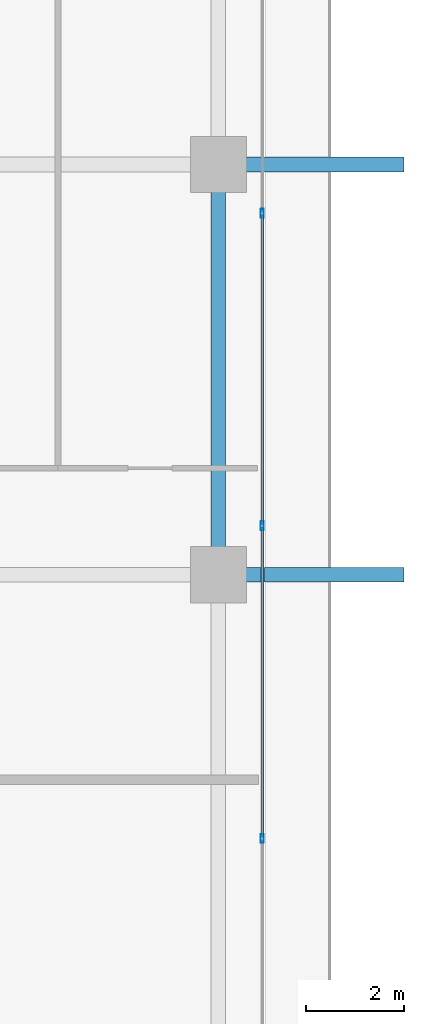
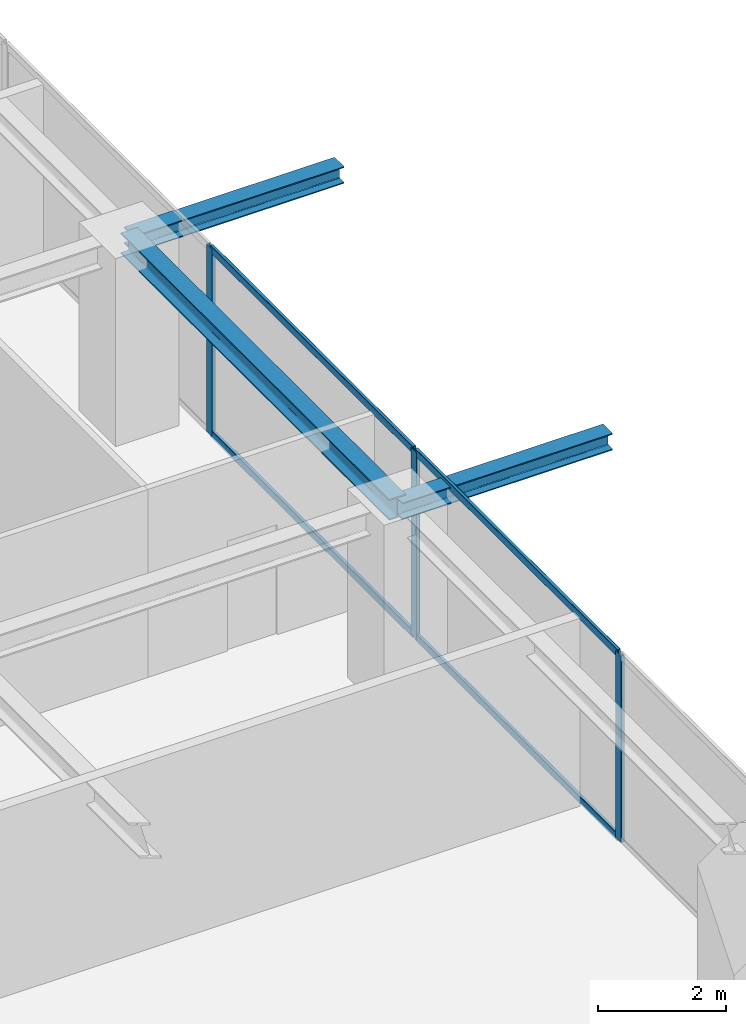
# One storey, part 16 of 36: 7 members, 3 beams, 1 element without a shape of its own.
"""IFC4 building model written with IfcOpenShell, lengths in metres."""

from ifc_helpers import new_model, si_unit, direction, frame, origin, origin_2d, place, context, subcontext, project, spatial, hollow_rectangle, i_section, extrude, source, transform, mapped, material, layer, layer_set, material_profile, profile_set, type_object, element, aggregate, save


model = new_model("IFC4")

# Units and contexts
model_context = context("Model", 3, precision=1e-05, world=origin(), true_north=direction((0.0, 1.0)))
body_context = subcontext(model_context, "Body", "Model", "MODEL_VIEW")
ifc_project = project(units=[si_unit("LENGTHUNIT", "METRE"), si_unit("AREAUNIT", "SQUARE_METRE"), si_unit("VOLUMEUNIT", "CUBIC_METRE"), si_unit("PLANEANGLEUNIT", "RADIAN"), si_unit("MASSUNIT", "GRAM", prefix="KILO")], contexts=[model_context])

# Site, building, storey
site_placement = place(None, origin())
site = spatial("IfcSite", under=ifc_project, at=site_placement, CompositionType="ELEMENT")
building_placement = place(site_placement, origin())
building = spatial("IfcBuilding", under=site, at=building_placement, Name="Serunith Strait Residences", CompositionType="ELEMENT")
storey_placement = place(building_placement, frame((0.0, 0.0, 225.85009765625)))
storey = spatial("IfcBuildingStorey", under=building, at=storey_placement, Name="L56", CompositionType="ELEMENT", Elevation=225.85009765625)

# Beams
ifc_material_1 = material(Name="Steel S355J2", Category="steel")
ifc_material_profile_1 = material_profile(ifc_material_1, i_section(OverallWidth=0.300048828125, OverallDepth=0.39990234375, WebThickness=0.013427734375, FlangeThickness=0.02392578125, FilletRadius=0.027099609375, at=origin_2d()), Name="HEB 400")
ifc_profile_set_1 = profile_set([ifc_material_profile_1], Name="Steel S355J2")
beam_type_1 = type_object("IfcBeamType", Name="BM-HEB400", PredefinedType="BEAM", material=ifc_profile_set_1)
shared_shape_1 = source(origin(), body_context, "Body", "SweptSolid", [
    extrude(i_section(OverallWidth=0.300048828125, OverallDepth=0.39990234375, WebThickness=0.013427734375, FlangeThickness=0.02392578125, FilletRadius=0.027099609375, at=origin_2d()), origin(), (0.0, 0.0, 1.0), 8.39990234375),
])
beam_placement = place(storey_placement, frame((56.5, 21.0, 3.386962890625), z_axis=(0.0, 1.0, 0.0), x_axis=(-1.0, 0.0, 0.0)))
element("IfcBeam", 1, at=beam_placement, inside=storey, type_object=beam_type_1, Name="L56 Perimeter Ring Beam 06", PredefinedType="BEAM", context=body_context, shape_type="MappedRepresentation", body=[
    mapped(shared_shape_1, transform((0.0, 0.0, 0.0), scale=1.0)),
])
ifc_material_profile_2 = material_profile(ifc_material_1, i_section(OverallWidth=0.300048828125, OverallDepth=0.320068359375, WebThickness=0.011474609375, FlangeThickness=0.0205078125, FilletRadius=0.027099609375, at=origin_2d()), Name="HEB 320")
ifc_profile_set_2 = profile_set([ifc_material_profile_2], Name="Steel S355J2")
beam_type_2 = type_object("IfcBeamType", Name="BM-HEB320", PredefinedType="BEAM", material=ifc_profile_set_2)
shared_shape_2 = source(origin(), body_context, "Body", "SweptSolid", [
    extrude(i_section(OverallWidth=0.300048828125, OverallDepth=0.320068359375, WebThickness=0.011474609375, FlangeThickness=0.0205078125, FilletRadius=0.027099609375, at=origin_2d()), origin(), (0.0, 0.0, 1.0), 3.800048828125),
])
for number, where, z_axis, x_axis, name in (
    (2, (56.5, 21.0, 3.39697265625), (1.0, 0.0, 0.0), (0.0, 1.0, 0.0), "L57 Cantilevered Balcony Rib TC-E2"),
    (3, (56.5, 29.39990234375, 3.39697265625), (1.0, 0.0, 0.0), (0.0, 1.0, 0.0), "L57 Cantilevered Balcony Rib TC-E3"),
):
    element("IfcBeam", number, at=place(storey_placement, frame(where, z_axis=z_axis, x_axis=x_axis)), inside=storey, type_object=beam_type_2, Name=name, PredefinedType="BEAM", context=body_context, shape_type="MappedRepresentation", body=[
        mapped(shared_shape_2, transform((0.0, 0.0, 0.0), scale=1.0)),
    ])

# Curtain wall, members
ifc_material_2 = material(Name="Pale-Champagne Anodised Aluminium", Category="aluminium")
ifc_layer = layer(ifc_material_2, 0.199951171875, Name="Pale-Champagne Anodised Aluminium")
ifc_layer_set = layer_set([ifc_layer], Name="Pale-Champagne Anodised Aluminium")
curtain_wall_type = type_object("IfcCurtainWallType", Name="CW-SYS4", PredefinedType="NOTDEFINED", material=ifc_layer_set)
curtain_wall_placement = place(storey_placement, origin())
curtain_wall = element("IfcCurtainWall", 4, at=curtain_wall_placement, inside=storey, type_object=curtain_wall_type, Name="L56 E Unitised Fritted Curtain Wall", PredefinedType="NOTDEFINED")
ifc_material_profile_3 = material_profile(ifc_material_2, hollow_rectangle(XDim=0.06494140625, YDim=0.179931640625, WallThickness=0.00341796875, InnerFilletRadius=0.00537109375, OuterFilletRadius=0.0087890625, at=origin_2d()), Name="ALU 180x65x3.5")
ifc_profile_set_3 = profile_set([ifc_material_profile_3], Name="Pale-Champagne Anodised Aluminium")
member_type_1 = type_object("IfcMemberType", Name="CW-SYS4-MULL", PredefinedType="MULLION", material=ifc_profile_set_3)
shared_shape_3 = source(origin(), body_context, "Body", "SweptSolid", [
    extrude(hollow_rectangle(XDim=0.06494140625, YDim=0.179931640625, WallThickness=0.00341796875, InnerFilletRadius=0.00537109375, OuterFilletRadius=0.0087890625, at=origin_2d()), origin(), (0.0, 0.0, 1.0), 3.574951171875),
])
member_1_placement = place(storey_placement, frame((57.39990234375, 15.60009765625, 0.0), z_axis=(0.0, 0.0, 1.0), x_axis=(-1.0, 0.0, 0.0)))
member_1 = element("IfcMember", 5, at=member_1_placement, type_object=member_type_1, Name="CW-4 mullion 2", PredefinedType="MULLION", context=body_context, shape_type="MappedRepresentation", body=[
    mapped(shared_shape_3, transform((0.0, 0.0, 0.0), scale=1.0)),
])
member_2_placement = place(storey_placement, frame((57.39990234375, 22.0, 0.0), z_axis=(0.0, 0.0, 1.0), x_axis=(-1.0, 0.0, 0.0)))
member_2 = element("IfcMember", 6, at=member_2_placement, type_object=member_type_1, Name="CW-4 mullion 3", PredefinedType="MULLION", context=body_context, shape_type="MappedRepresentation", body=[
    mapped(shared_shape_3, transform((0.0, 0.0, 0.0), scale=1.0)),
])
member_3_placement = place(storey_placement, frame((57.39990234375, 28.39990234375, 0.0), z_axis=(0.0, 0.0, 1.0), x_axis=(-1.0, 0.0, 0.0)))
member_3 = element("IfcMember", 7, at=member_3_placement, type_object=member_type_1, Name="CW-4 mullion 4", PredefinedType="MULLION", context=body_context, shape_type="MappedRepresentation", body=[
    mapped(shared_shape_3, transform((0.0, 0.0, 0.0), scale=1.0)),
])
ifc_material_profile_4 = material_profile(ifc_material_2, hollow_rectangle(XDim=0.06005859375, YDim=0.139892578125, WallThickness=0.00341796875, InnerFilletRadius=0.00537109375, OuterFilletRadius=0.0087890625, at=origin_2d()), Name="ALU 140x60x3.5")
ifc_profile_set_4 = profile_set([ifc_material_profile_4], Name="Pale-Champagne Anodised Aluminium")
member_type_2 = type_object("IfcMemberType", Name="CW-SYS4-TRAN", PredefinedType="USERDEFINED", material=ifc_profile_set_4)
shared_shape_4 = source(origin(), body_context, "Body", "SweptSolid", [
    extrude(hollow_rectangle(XDim=0.06005859375, YDim=0.139892578125, WallThickness=0.00341796875, InnerFilletRadius=0.00537109375, OuterFilletRadius=0.0087890625, at=origin_2d()), origin(), (0.0, 0.0, 1.0), 6.3349609375),
])
member_4_placement = place(storey_placement, frame((57.39990234375, 15.632568359375, 0.02978515625), z_axis=(0.0, 1.0, 0.0), x_axis=(-1.0, 0.0, 0.0)))
member_4 = element("IfcMember", 8, at=member_4_placement, type_object=member_type_2, Name="CW-4 transom 2.1", ObjectType="TRANSOM", PredefinedType="USERDEFINED", context=body_context, shape_type="MappedRepresentation", body=[
    mapped(shared_shape_4, transform((0.0, 0.0, 0.0), scale=1.0)),
])
member_5_placement = place(storey_placement, frame((57.39990234375, 15.632568359375, 3.544921875), z_axis=(0.0, 1.0, 0.0), x_axis=(-1.0, 0.0, 0.0)))
member_5 = element("IfcMember", 9, at=member_5_placement, type_object=member_type_2, Name="CW-4 transom 2.2", ObjectType="TRANSOM", PredefinedType="USERDEFINED", context=body_context, shape_type="MappedRepresentation", body=[
    mapped(shared_shape_4, transform((0.0, 0.0, 0.0), scale=1.0)),
])
member_6_placement = place(storey_placement, frame((57.39990234375, 22.032470703125, 0.02978515625), z_axis=(0.0, 1.0, 0.0), x_axis=(-1.0, 0.0, 0.0)))
member_6 = element("IfcMember", 10, at=member_6_placement, type_object=member_type_2, Name="CW-4 transom 3.1", ObjectType="TRANSOM", PredefinedType="USERDEFINED", context=body_context, shape_type="MappedRepresentation", body=[
    mapped(shared_shape_4, transform((0.0, 0.0, 0.0), scale=1.0)),
])
member_7_placement = place(storey_placement, frame((57.39990234375, 22.032470703125, 3.544921875), z_axis=(0.0, 1.0, 0.0), x_axis=(-1.0, 0.0, 0.0)))
member_7 = element("IfcMember", 11, at=member_7_placement, type_object=member_type_2, Name="CW-4 transom 3.2", ObjectType="TRANSOM", PredefinedType="USERDEFINED", context=body_context, shape_type="MappedRepresentation", body=[
    mapped(shared_shape_4, transform((0.0, 0.0, 0.0), scale=1.0)),
])
aggregate(curtain_wall, [member_1, member_2, member_3, member_4, member_5, member_6, member_7])

save(model, "model.ifc")
